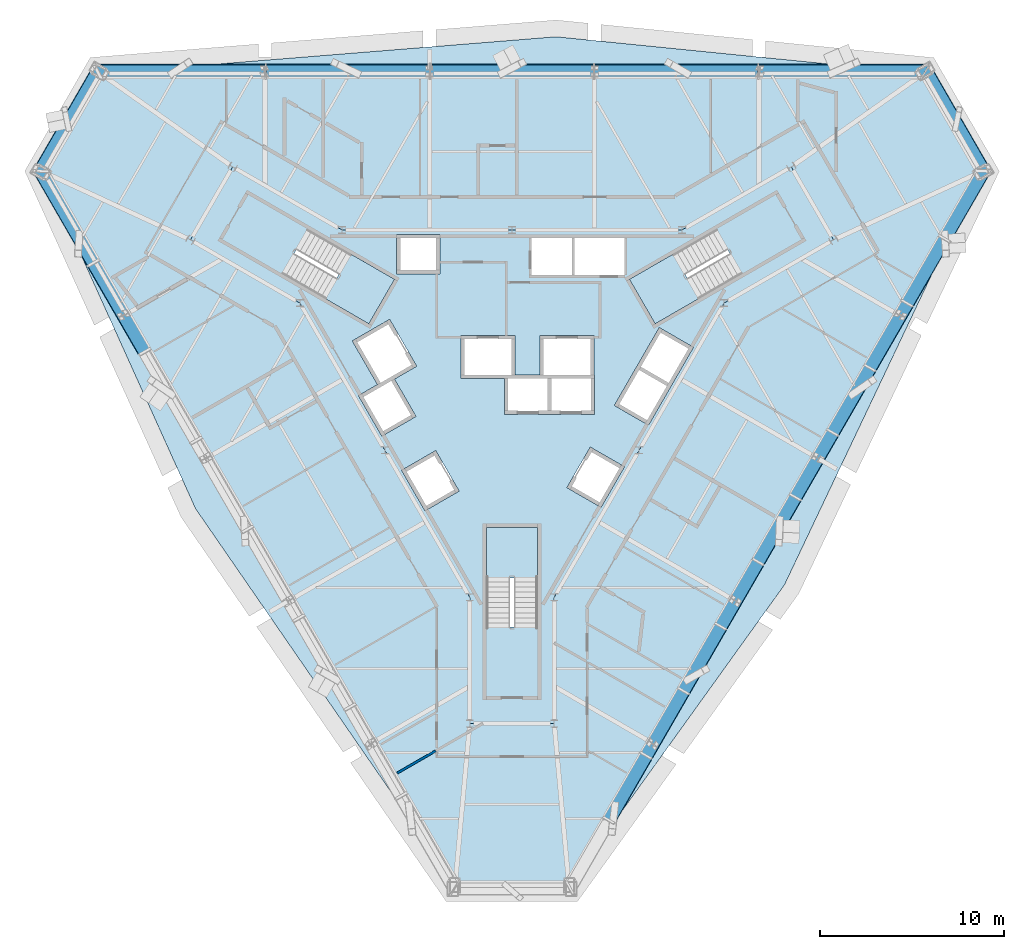
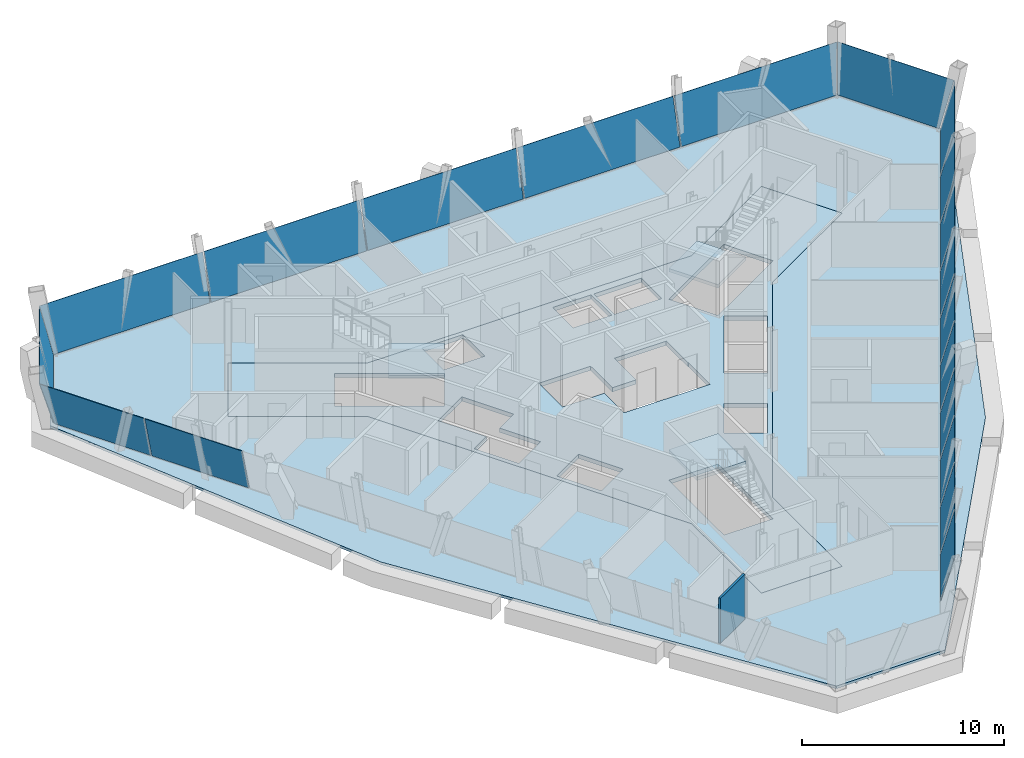
# One storey, part 7 of 13: 19 plates, 5 slabs, 1 wall, 8 elements without a shape of their own.
"""IFC4 building model written with IfcOpenShell, lengths in metres."""

from ifc_helpers import new_model, si_unit, direction, frame, frame_2d, origin, place, context, subcontext, project, spatial, polyline, rectangle, outline, extrude, material, layer, layer_set, type_object, element, aggregate, save


model = new_model("IFC4")

# Units and contexts
model_context = context("Model", 3, precision=1e-05, world=origin(), true_north=direction((0.0, 1.0)))
body_context = subcontext(model_context, "Body", "Model", "MODEL_VIEW")
ifc_project = project(units=[si_unit("LENGTHUNIT", "METRE"), si_unit("AREAUNIT", "SQUARE_METRE"), si_unit("VOLUMEUNIT", "CUBIC_METRE"), si_unit("PLANEANGLEUNIT", "RADIAN"), si_unit("MASSUNIT", "GRAM", prefix="KILO")], contexts=[model_context])

# Site, building, storey
site_placement = place(None, origin())
site = spatial("IfcSite", under=ifc_project, at=site_placement, CompositionType="ELEMENT")
building_placement = place(site_placement, origin())
building = spatial("IfcBuilding", under=site, at=building_placement, Name="Verrane Prism Tower", CompositionType="ELEMENT")
storey_placement = place(building_placement, frame((0.0, 0.0, 243.39990234375)))
storey = spatial("IfcBuildingStorey", under=building, at=storey_placement, Name="L61", CompositionType="ELEMENT", Elevation=243.39990234375)

# Slabs
ifc_material_1 = material(Name="Concrete C35/45", Category="concrete")
ifc_layer_1 = layer(ifc_material_1, 0.159912109375)
ifc_layer_set_1 = layer_set([ifc_layer_1], Name="Composite floor slab")
slab_type_1 = type_object("IfcSlabType", Name="Composite floor slab", PredefinedType="FLOOR", material=ifc_layer_set_1)
slab_1_placement = place(storey_placement, frame((0.0, 0.0, -0.159912109375)))
element("IfcSlab", 1, at=slab_1_placement, inside=storey, type_object=slab_type_1, Name="Floor slab L61", PredefinedType="FLOOR", context=body_context, shape_type="SweptSolid", body=[
    extrude(outline(polyline([(14.85107421875, -11.33740234375), (3.09912109375, -27.6923828125), (-3.09912109375, -27.6923828125), (-17.243896484375, -7.192626953125), (-25.53173828125, 11.162353515625), (-22.432861328125, 16.530029296875), (2.392822265625, 18.530029296875), (22.432861328125, 16.530029296875), (25.53173828125, 11.162353515625), (14.85107421875, -11.33740234375)]), holes=[polyline([(17.52001953125, 7.4599609375), (15.219970703125, 11.43994140625), (9.260009765625, 8.0), (0.0, 8.0), (-9.260009765625, 8.0), (-15.219970703125, 11.43994140625), (-17.52001953125, 7.4599609375), (-11.56005859375, 4.02001953125), (-6.929931640625, -4.0), (-2.300048828125, -12.02001953125), (-2.300048828125, -18.89990234375), (2.300048828125, -18.89990234375), (2.300048828125, -12.02001953125), (6.929931640625, -4.0), (11.56005859375, 4.02001953125), (17.52001953125, 7.4599609375)])]), origin(), (0.0, 0.0, 1.0), 0.159912109375),
])
ifc_material_2 = material(Name="Concrete C40/50", Category="concrete")
ifc_layer_2 = layer(ifc_material_2, 0.25)
ifc_layer_set_2 = layer_set([ifc_layer_2], Name="Core floor slab 250 concrete C40/50")
slab_type_2 = type_object("IfcSlabType", Name="Core floor slab 250 concrete C40/50", PredefinedType="FLOOR", material=ifc_layer_set_2)
slab_2_placement = place(storey_placement, frame((0.0, 0.0, -0.25)))
element("IfcSlab", 2, at=slab_2_placement, inside=storey, type_object=slab_type_2, Name="Core floor L61", PredefinedType="FLOOR", context=body_context, shape_type="SweptSolid", body=[
    extrude(outline(polyline([(11.56005859375, 4.02001953125), (17.52001953125, 7.4599609375), (15.219970703125, 11.43994140625), (9.260009765625, 8.0), (0.0, 8.0), (-9.260009765625, 8.0), (-15.219970703125, 11.43994140625), (-17.52001953125, 7.4599609375), (-11.56005859375, 4.02001953125), (-6.929931640625, -4.0), (-2.300048828125, -12.02001953125), (-2.300048828125, -18.89990234375), (2.300048828125, -18.89990234375), (2.300048828125, -12.02001953125), (6.929931640625, -4.0), (11.56005859375, 4.02001953125)]), holes=[polyline([(1.39990234375, -8.199951171875), (1.39990234375, -13.639892578125), (-1.39990234375, -13.639892578125), (-1.39990234375, -8.199951171875), (1.39990234375, -8.199951171875)]), polyline([(-2.881103515625, -6.22998046875), (-4.742919921875, -7.304931640625), (-6.01806640625, -5.096923828125), (-4.156005859375, -4.02197265625), (-2.881103515625, -6.22998046875)]), polyline([(-7.801025390625, 2.887939453125), (-12.512939453125, 5.60791015625), (-11.113037109375, 8.031982421875), (-6.40087890625, 5.31201171875), (-7.801025390625, 2.887939453125)]), polyline([(-6.284912109375, 5.610107421875), (-6.284912109375, 7.760009765625), (-3.93505859375, 7.760009765625), (-3.93505859375, 5.610107421875), (-6.284912109375, 5.610107421875)]), polyline([(4.26611328125, -3.8310546875), (6.1279296875, -4.906005859375), (4.85302734375, -7.114990234375), (2.990966796875, -6.0400390625), (4.26611328125, -3.8310546875)]), polyline([(7.43798828125, -2.636962890625), (5.575927734375, -1.56201171875), (8.02587890625, 2.680908203125), (9.887939453125, 1.60595703125), (7.43798828125, -2.636962890625)]), polyline([(0.1650390625, 0.10009765625), (1.52490234375, 0.10009765625), (1.52490234375, 2.25), (4.47509765625, 2.25), (4.47509765625, 0.10009765625), (4.4951171875, 0.10009765625), (4.4951171875, -2.050048828125), (-0.405029296875, -2.050048828125), (-0.405029296875, -0.10009765625), (-2.784912109375, -0.10009765625), (-2.784912109375, 2.25), (0.1650390625, 2.25), (0.1650390625, 0.10009765625)]), polyline([(6.40087890625, 5.31201171875), (11.113037109375, 8.031982421875), (12.512939453125, 5.60791015625), (7.801025390625, 2.887939453125), (6.40087890625, 5.31201171875)]), polyline([(1.074951171875, 5.534912109375), (1.074951171875, 7.56005859375), (3.264892578125, 7.56005859375), (3.264892578125, 5.534912109375), (1.074951171875, 5.534912109375)]), polyline([(3.4150390625, 7.56005859375), (6.125, 7.56005859375), (6.125, 5.534912109375), (3.4150390625, 5.534912109375), (3.4150390625, 7.56005859375)]), polyline([(-5.23095703125, -2.159912109375), (-7.093017578125, -3.235107421875), (-8.367919921875, -1.02587890625), (-7.3291015625, -0.426025390625), (-8.7041015625, 1.955078125), (-6.66796875, 3.1298828125), (-5.193115234375, 0.574951171875), (-6.406005859375, -0.125), (-5.23095703125, -2.159912109375)])]), origin(), (0.0, 0.0, 1.0), 0.25),
])

# Curtain wall, plates
ifc_material_3 = material(Name="Aluminium framed insulated glazing", Category="aluminium")
curtain_wall_type_1 = type_object("IfcCurtainWallType", Name="Curtain wall CW-C 4200 module", PredefinedType="NOTDEFINED", material=ifc_material_3)
curtain_wall_1_placement = place(storey_placement, origin())
curtain_wall_1 = element("IfcCurtainWall", 3, at=curtain_wall_1_placement, inside=storey, type_object=curtain_wall_type_1, Name="Glazed curtain wall south-east face L61", PredefinedType="NOTDEFINED")
ifc_material_4 = material(Name="Low-iron insulating glass unit", Category="glass")
ifc_layer_3 = layer(ifc_material_4, 0.02392578125)
ifc_layer_set_3 = layer_set([ifc_layer_3], Name="Glazing panel IGU 24")
plate_type_1 = type_object("IfcPlateType", Name="Glazing panel IGU 24", PredefinedType="CURTAIN_PANEL", material=ifc_layer_set_3)
plate_1_placement = place(storey_placement, frame((4.983154296875, -23.97265625, 0.050048828125), z_axis=(-0.837583476659, 0.483550316184, 0.254230232951), x_axis=(0.499976869883, 0.866038757544, -3.737213e-06)))
plate_1 = element("IfcPlate", 4, at=plate_1_placement, type_object=plate_type_1, Name="CW59.6 panel 2", PredefinedType="CURTAIN_PANEL", context=body_context, shape_type="SweptSolid", body=[
    extrude(outline(polyline([(0.0, 0.0), (4.0154213533940375, 0.0), (4.015299826983824, -2.753320658155525), (8.990883332739698e-05, -2.753289626391396), (0.0, 0.0)])), origin(), (0.0, 0.0, -1.0), 0.02392578125),
])
plate_2_placement = place(storey_placement, frame((7.015869140625, -20.451904296875, 0.050048828125), z_axis=(-0.837583476659, 0.483550316184, 0.254230232951), x_axis=(0.499976869883, 0.866038757544, -3.737213e-06)))
plate_2 = element("IfcPlate", 5, at=plate_2_placement, type_object=plate_type_1, Name="CW59.6 panel 3", PredefinedType="CURTAIN_PANEL", context=body_context, shape_type="SweptSolid", body=[
    extrude(outline(polyline([(0.0, 0.0), (4.0154213533940375, 0.0), (4.015299826983824, -2.753320658155525), (8.990883332739698e-05, -2.753289626391396), (0.0, 0.0)])), origin(), (0.0, 0.0, -1.0), 0.02392578125),
])
plate_3_placement = place(storey_placement, frame((9.048583984375, -16.93115234375, 0.050048828125), z_axis=(-0.837583476659, 0.483550316184, 0.254230232951), x_axis=(0.499976869883, 0.866038757544, -3.737213e-06)))
plate_3 = element("IfcPlate", 6, at=plate_3_placement, type_object=plate_type_1, Name="CW59.6 panel 4", PredefinedType="CURTAIN_PANEL", context=body_context, shape_type="SweptSolid", body=[
    extrude(outline(polyline([(0.0, 0.0), (4.0154213533940375, 0.0), (4.015299826983824, -2.753320658155525), (8.990883332739698e-05, -2.753289626391396), (0.0, 0.0)])), origin(), (0.0, 0.0, -1.0), 0.02392578125),
])
plate_4_placement = place(storey_placement, frame((11.081298828125, -13.410400390625, 0.050048828125), z_axis=(-0.837583476659, 0.483550316184, 0.254230232951), x_axis=(0.499976869883, 0.866038757544, -3.737213e-06)))
plate_4 = element("IfcPlate", 7, at=plate_4_placement, type_object=plate_type_1, Name="CW59.6 panel 5", PredefinedType="CURTAIN_PANEL", context=body_context, shape_type="SweptSolid", body=[
    extrude(outline(polyline([(0.0, 0.0), (4.0154213533940375, 0.0), (4.015299826983824, -2.753320658155525), (8.990883332739698e-05, -2.753289626391396), (0.0, 0.0)])), origin(), (0.0, 0.0, -1.0), 0.02392578125),
])
plate_5_placement = place(storey_placement, frame((13.114013671875, -9.8896484375, 0.050048828125), z_axis=(-0.837583476659, 0.483550316184, 0.254230232951), x_axis=(0.499976869883, 0.866038757544, -3.737213e-06)))
plate_5 = element("IfcPlate", 8, at=plate_5_placement, type_object=plate_type_1, Name="CW59.6 panel 6", PredefinedType="CURTAIN_PANEL", context=body_context, shape_type="SweptSolid", body=[
    extrude(outline(polyline([(0.0, 0.0), (4.0154213533940375, 0.0), (4.015299826983824, -2.753320658155525), (8.990883332739698e-05, -2.753289626391396), (0.0, 0.0)])), origin(), (0.0, 0.0, -1.0), 0.02392578125),
])
plate_6_placement = place(storey_placement, frame((15.146484375, -6.368896484375, 0.050048828125), z_axis=(-0.837558013939, 0.483594418972, 0.254230232714), x_axis=(0.500022470894, 0.866012429811, -3.73744e-06)))
plate_6 = element("IfcPlate", 9, at=plate_6_placement, type_object=plate_type_1, Name="CW59.6 panel 7", PredefinedType="CURTAIN_PANEL", context=body_context, shape_type="SweptSolid", body=[
    extrude(outline(polyline([(0.0, 0.0), (4.015543420620028, -5.551115123125783e-17), (4.015458754268964, -2.7533206595356114), (0.00012676246480845213, -2.753289624941174), (0.0, 0.0)])), origin(), (0.0, 0.0, -1.0), 0.02392578125),
])
plate_7_placement = place(storey_placement, frame((17.17919921875, -2.84814453125, 0.050048828125), z_axis=(-0.837558013939, 0.483594418972, 0.254230232714), x_axis=(0.500022470894, 0.866012429811, -3.73744e-06)))
plate_7 = element("IfcPlate", 10, at=plate_7_placement, type_object=plate_type_1, Name="CW59.6 panel 8", PredefinedType="CURTAIN_PANEL", context=body_context, shape_type="SweptSolid", body=[
    extrude(outline(polyline([(0.0, 0.0), (4.015543420620028, -5.551115123125783e-17), (4.015458754268964, -2.7533206595356114), (0.00012676246480845213, -2.753289624941174), (0.0, 0.0)])), origin(), (0.0, 0.0, -1.0), 0.02392578125),
])
plate_8_placement = place(storey_placement, frame((19.2119140625, 0.672607421875, 0.050048828125), z_axis=(-0.837560644072, 0.483578962149, 0.254250968273), x_axis=(0.500010157896, 0.866019539041, 0.0)))
plate_8 = element("IfcPlate", 11, at=plate_8_placement, type_object=plate_type_1, Name="CW59.6 panel 9", PredefinedType="CURTAIN_PANEL", context=body_context, shape_type="SweptSolid", body=[
    extrude(outline(polyline([(0.0, 0.0), (4.0155434210539465, 0.0), (4.015458753835055, -2.753320660168428), (-8.466721889159184e-05, -2.7533206601684275), (0.0, 0.0)])), origin(), (0.0, 0.0, -1.0), 0.02392578125),
])
plate_9_placement = place(storey_placement, frame((21.24462890625, 4.193359375, 0.050048828125), z_axis=(-0.837560644072, 0.483578962149, 0.254250968273), x_axis=(0.500010157896, 0.866019539041, 0.0)))
plate_9 = element("IfcPlate", 12, at=plate_9_placement, type_object=plate_type_1, Name="CW59.6 panel 10", PredefinedType="CURTAIN_PANEL", context=body_context, shape_type="SweptSolid", body=[
    extrude(outline(polyline([(0.0, 0.0), (4.0155434210539465, 0.0), (4.015458753835055, -2.753320660168428), (-8.466721889159184e-05, -2.7533206601684275), (0.0, 0.0)])), origin(), (0.0, 0.0, -1.0), 0.02392578125),
])
plate_10_placement = place(storey_placement, frame((23.27734375, 7.714111328125, 0.050048828125), z_axis=(-0.83756648763, 0.483578538225, 0.25423252382), x_axis=(0.500007964974, 0.866020805149, 3.304e-06)))
plate_10 = element("IfcPlate", 13, at=plate_10_placement, type_object=plate_type_1, Name="CW59.6 panel 11", PredefinedType="CURTAIN_PANEL", context=body_context, shape_type="SweptSolid", body=[
    extrude(outline(polyline([(0.0, 0.0), (4.040375021865548, 0.0), (4.4447764939265015, -2.753291672235911), (-7.764180327567659e-05, -2.753320659874807), (0.0, 0.0)])), origin(), (0.0, 0.0, -1.0), 0.02392578125),
])
aggregate(curtain_wall_1, [plate_1, plate_2, plate_3, plate_4, plate_5, plate_6, plate_7, plate_8, plate_9, plate_10])

ifc_material_5 = material(Name="Aluminium framed insulated glazing", Category="aluminium")
curtain_wall_type_2 = type_object("IfcCurtainWallType", Name="Curtain wall CW-B 5600 module", PredefinedType="NOTDEFINED", material=ifc_material_5)
curtain_wall_2_placement = place(storey_placement, origin())
curtain_wall_2 = element("IfcCurtainWall", 14, at=curtain_wall_2_placement, inside=storey, type_object=curtain_wall_type_2, Name="Glazed curtain wall south-west face L61", PredefinedType="NOTDEFINED")
ifc_material_6 = material(Name="Low-iron insulating glass unit", Category="glass")
ifc_layer_4 = layer(ifc_material_6, 0.028076171875)
ifc_layer_set_4 = layer_set([ifc_layer_4], Name="Glazing panel IGU 28")
plate_type_2 = type_object("IfcPlateType", Name="Glazing panel IGU 28", PredefinedType="CURTAIN_PANEL", material=ifc_layer_set_4)
plate_11_placement = place(storey_placement, frame((-25.267578125, 11.1611328125, 0.06005859375), z_axis=(0.837358160344, 0.483462855003, 0.255137177099), x_axis=(0.500011103223, -0.86601899324, -1.421146e-06)))
plate_11 = element("IfcPlate", 15, at=plate_11_placement, type_object=plate_type_2, Name="CW59.4 panel 1", PredefinedType="CURTAIN_PANEL", context=body_context, shape_type="SweptSolid", body=[
    extrude(outline(polyline([(0.0, 0.0), (5.499826563919646, 0.0), (5.499906696934177, -2.743641013026409), (-0.43459056265048646, -2.7436242069802677), (0.0, 0.0)])), origin(), (0.0, 0.0, -1.0), 0.028076171875),
])
plate_12_placement = place(storey_placement, frame((-22.487548828125, 6.34619140625, 0.06005859375), z_axis=(0.837367308946, 0.483441311879, 0.255147972515), x_axis=(0.499989971015, -0.866031193944, 0.0)))
plate_12 = element("IfcPlate", 16, at=plate_12_placement, type_object=plate_type_2, Name="CW59.4 panel 2", PredefinedType="CURTAIN_PANEL", context=body_context, shape_type="SweptSolid", body=[
    extrude(outline(polyline([(0.0, 0.0), (5.529896074744711, 0.0), (5.5299970596293, -2.743641012509184), (0.00010098488458959443, -2.743641012509184), (0.0, 0.0)])), origin(), (0.0, 0.0, -1.0), 0.028076171875),
])
aggregate(curtain_wall_2, [plate_11, plate_12])

# Curtain wall, plate
ifc_material_7 = material(Name="Aluminium framed insulated glazing", Category="aluminium")
curtain_wall_type_3 = type_object("IfcCurtainWallType", Name="Curtain wall CW-A 8400 module", PredefinedType="NOTDEFINED", material=ifc_material_7)
curtain_wall_3_placement = place(storey_placement, origin())
curtain_wall_3 = element("IfcCurtainWall", 17, at=curtain_wall_3_placement, inside=storey, type_object=curtain_wall_type_3, Name="Glazed curtain wall north-east corner L61", PredefinedType="NOTDEFINED")
ifc_material_8 = material(Name="Low-iron insulating glass unit", Category="glass")
ifc_layer_5 = layer(ifc_material_8, 0.031982421875)
ifc_layer_set_5 = layer_set([ifc_layer_5], Name="Glazing panel IGU 32")
plate_type_3 = type_object("IfcPlateType", Name="Glazing panel IGU 32", PredefinedType="CURTAIN_PANEL", material=ifc_layer_set_5)
plate_13_placement = place(storey_placement, frame((25.2626953125, 11.27392578125, 0.070068359375), z_axis=(-0.837146054015, -0.483331093953, 0.256081115792), x_axis=(-0.500005499458, 0.866022228607, -8.43372e-06)))
plate_13 = element("IfcPlate", 18, at=plate_13_placement, type_object=plate_type_3, Name="CW59.1 panel 1", PredefinedType="CURTAIN_PANEL", context=body_context, shape_type="SweptSolid", body=[
    extrude(outline(polyline([(0.0, 0.0), (5.805768352045422, -1.1102230246251565e-16), (6.209646604437397, -2.734040402901986), (-0.4390860963207175, -2.7339317418595828), (0.0, 0.0)])), origin(), (0.0, 0.0, -1.0), 0.031982421875),
])
aggregate(curtain_wall_3, [plate_13])

# Curtain wall, plates
curtain_wall_4_placement = place(storey_placement, origin())
curtain_wall_4 = element("IfcCurtainWall", 19, at=curtain_wall_4_placement, inside=storey, type_object=curtain_wall_type_3, Name="Glazed curtain wall north face L61", PredefinedType="NOTDEFINED")
plate_14_placement = place(storey_placement, frame((22.289794921875, 16.3017578125, 0.070068359375), z_axis=(0.0, -0.966670784166, 0.256022645562), x_axis=(-1.0, 0.0, 0.0)))
plate_14 = element("IfcPlate", 20, at=plate_14_placement, type_object=plate_type_3, Name="CW59.2 panel 1", PredefinedType="CURTAIN_PANEL", context=body_context, shape_type="SweptSolid", body=[
    extrude(outline(polyline([(0.0, 0.0), (8.8388671875, 0.0), (8.8388671875, -2.733942422709821), (-0.439208984375, -2.733942422709821), (0.0, 0.0)])), origin(), (0.0, 0.0, -1.0), 0.031982421875),
])
plate_15_placement = place(storey_placement, frame((13.380859375, 16.3017578125, 0.070068359375), z_axis=(0.0, -0.966670784166, 0.256022645562), x_axis=(-1.0, 0.0, 0.0)))
plate_15 = element("IfcPlate", 21, at=plate_15_placement, type_object=plate_type_3, Name="CW59.2 panel 2", PredefinedType="CURTAIN_PANEL", context=body_context, shape_type="SweptSolid", body=[
    extrude(outline(polyline([(0.0, 0.0), (8.8740234375, 0.0), (8.8740234375, -2.733942422709821), (0.0, -2.733942422709821), (0.0, 0.0)])), origin(), (0.0, 0.0, -1.0), 0.031982421875),
])
plate_16_placement = place(storey_placement, frame((4.43701171875, 16.3017578125, 0.070068359375), z_axis=(0.0, -0.966670784166, 0.256022645562), x_axis=(-1.0, 0.0, 0.0)))
plate_16 = element("IfcPlate", 22, at=plate_16_placement, type_object=plate_type_3, Name="CW59.2 panel 3", PredefinedType="CURTAIN_PANEL", context=body_context, shape_type="SweptSolid", body=[
    extrude(outline(polyline([(0.0, 0.0), (8.8740234375, 0.0), (8.8740234375, -2.733942422709821), (0.0, -2.733942422709821), (0.0, 0.0)])), origin(), (0.0, 0.0, -1.0), 0.031982421875),
])
plate_17_placement = place(storey_placement, frame((-4.5068359375, 16.3017578125, 0.070068359375), z_axis=(0.0, -0.966670784166, 0.256022645562), x_axis=(-1.0, 0.0, 0.0)))
plate_17 = element("IfcPlate", 23, at=plate_17_placement, type_object=plate_type_3, Name="CW59.2 panel 4", PredefinedType="CURTAIN_PANEL", context=body_context, shape_type="SweptSolid", body=[
    extrude(outline(polyline([(0.0, 0.0), (8.8740234375, 0.0), (8.8740234375, -2.733942422709821), (0.0, -2.733942422709821), (0.0, 0.0)])), origin(), (0.0, 0.0, -1.0), 0.031982421875),
])
plate_18_placement = place(storey_placement, frame((-13.450927734375, 16.3017578125, 0.070068359375), z_axis=(0.0, -0.966670784166, 0.256022645562), x_axis=(-1.0, 0.0, 0.0)))
plate_18 = element("IfcPlate", 24, at=plate_18_placement, type_object=plate_type_3, Name="CW59.2 panel 5", PredefinedType="CURTAIN_PANEL", context=body_context, shape_type="SweptSolid", body=[
    extrude(outline(polyline([(0.0, 0.0), (8.90869140625, 0.0), (9.313232421875, -2.733942422709821), (0.0, -2.733942422709821), (0.0, 0.0)])), origin(), (0.0, 0.0, -1.0), 0.031982421875),
])
aggregate(curtain_wall_4, [plate_14, plate_15, plate_16, plate_17, plate_18])

# Curtain wall, plate
curtain_wall_5_placement = place(storey_placement, origin())
curtain_wall_5 = element("IfcCurtainWall", 25, at=curtain_wall_5_placement, inside=storey, type_object=curtain_wall_type_3, Name="Glazed curtain wall north-west corner L61", PredefinedType="NOTDEFINED")
plate_19_placement = place(storey_placement, frame((-22.394775390625, 16.2412109375, 0.070068359375), z_axis=(0.837152780985, -0.483324037678, 0.256072442663), x_axis=(-0.49999430577, -0.866028691318, -3.35952e-06)))
plate_19 = element("IfcPlate", 26, at=plate_19_placement, type_object=plate_type_3, Name="CW59.3 panel 1", PredefinedType="CURTAIN_PANEL", context=body_context, shape_type="SweptSolid", body=[
    extrude(outline(polyline([(0.0, 0.0), (5.805857713208821, -1.1102230246251565e-16), (6.209807603566815, -2.7340013091698765), (-0.43904716850581693, -2.7339580240828374), (0.0, 0.0)])), origin(), (0.0, 0.0, -1.0), 0.031982421875),
])
aggregate(curtain_wall_5, [plate_19])

# Stair, slab
ifc_material_9 = material(Name="Concrete C40/50", Category="concrete")
stair_type = type_object("IfcStairType", Name="Exit stair 1300 dog-leg precast concrete C40/50", PredefinedType="HALF_TURN_STAIR", material=ifc_material_9)
stair_1_placement = place(storey_placement, origin())
stair_1 = element("IfcStair", 27, at=stair_1_placement, inside=storey, type_object=stair_type, Name="Stair 1 L61", PredefinedType="HALF_TURN_STAIR")
ifc_material_10 = material(Name="Concrete C40/50", Category="concrete")
ifc_layer_6 = layer(ifc_material_10, 0.199951171875)
ifc_layer_set_6 = layer_set([ifc_layer_6], Name="Stair landing 200 precast concrete C40/50")
slab_type_3 = type_object("IfcSlabType", Name="Stair landing 200 precast concrete C40/50", PredefinedType="LANDING", material=ifc_layer_set_6)
slab_3_placement = place(storey_placement, frame((0.0, 0.0, 1.650146484375)))
slab_3 = element("IfcSlab", 28, at=slab_3_placement, type_object=slab_type_3, Name="Stair 1 landing 1", PredefinedType="LANDING", context=body_context, shape_type="SweptSolid", body=[
    extrude(outline(polyline([(8.791748046875, 6.6923828125), (6.4013671875, 5.3125), (7.801513671875, 2.887451171875), (10.191650390625, 4.267578125), (8.791748046875, 6.6923828125)])), origin(), (0.0, 0.0, 1.0), 0.199951171875),
])
aggregate(stair_1, [slab_3])

stair_2_placement = place(storey_placement, origin())
stair_2 = element("IfcStair", 29, at=stair_2_placement, inside=storey, type_object=stair_type, Name="Stair 2 L61", PredefinedType="HALF_TURN_STAIR")
slab_4_placement = place(storey_placement, frame((0.0, 0.0, 1.650146484375)))
slab_4 = element("IfcSlab", 30, at=slab_4_placement, type_object=slab_type_3, Name="Stair 2 landing 1", PredefinedType="LANDING", context=body_context, shape_type="SweptSolid", body=[
    extrude(outline(polyline([(-10.191650390625, 4.267578125), (-7.801513671875, 2.887451171875), (-6.4013671875, 5.3125), (-8.791748046875, 6.6923828125), (-10.191650390625, 4.267578125)])), origin(), (0.0, 0.0, 1.0), 0.199951171875),
])
aggregate(stair_2, [slab_4])

stair_3_placement = place(storey_placement, origin())
stair_3 = element("IfcStair", 31, at=stair_3_placement, inside=storey, type_object=stair_type, Name="Stair 3 L61", PredefinedType="HALF_TURN_STAIR")
slab_5_placement = place(storey_placement, frame((0.0, 0.0, 1.650146484375)))
slab_5 = element("IfcSlab", 32, at=slab_5_placement, type_object=slab_type_3, Name="Stair 3 landing 1", PredefinedType="LANDING", context=body_context, shape_type="SweptSolid", body=[
    extrude(outline(polyline([(1.39990234375, -10.9599609375), (1.39990234375, -8.199951171875), (-1.39990234375, -8.199951171875), (-1.39990234375, -10.9599609375), (1.39990234375, -10.9599609375)])), origin(), (0.0, 0.0, 1.0), 0.199951171875),
])
aggregate(stair_3, [slab_5])

# Wall
ifc_material_11 = material(Name="Gypsum board partition", Category="other")
ifc_layer_7 = layer(ifc_material_11, 0.125)
ifc_layer_set_7 = layer_set([ifc_layer_7], Name="PW-125 corridor wall 1 h")
wall_type = type_object("IfcWallType", Name="PW-125 corridor wall 1 h", PredefinedType="PARTITIONING", material=ifc_layer_set_7)
wall_placement = place(storey_placement, frame((-6.24755859375, -21.58984375, 0.0), z_axis=(0.0, 0.0, 1.0), x_axis=(0.866059450854, 0.499941024108, 0.0)))
element("IfcWall", 33, at=wall_placement, inside=storey, type_object=wall_type, Name="Corridor wall 023", PredefinedType="PARTITIONING", context=body_context, shape_type="SweptSolid", body=[
    extrude(rectangle(XDim=2.417236328125, YDim=0.125, at=frame_2d((1.20849609375, 0.0))), origin(), (0.0, 0.0, 1.0), 2.713134765625),
])

save(model, "model.ifc")
